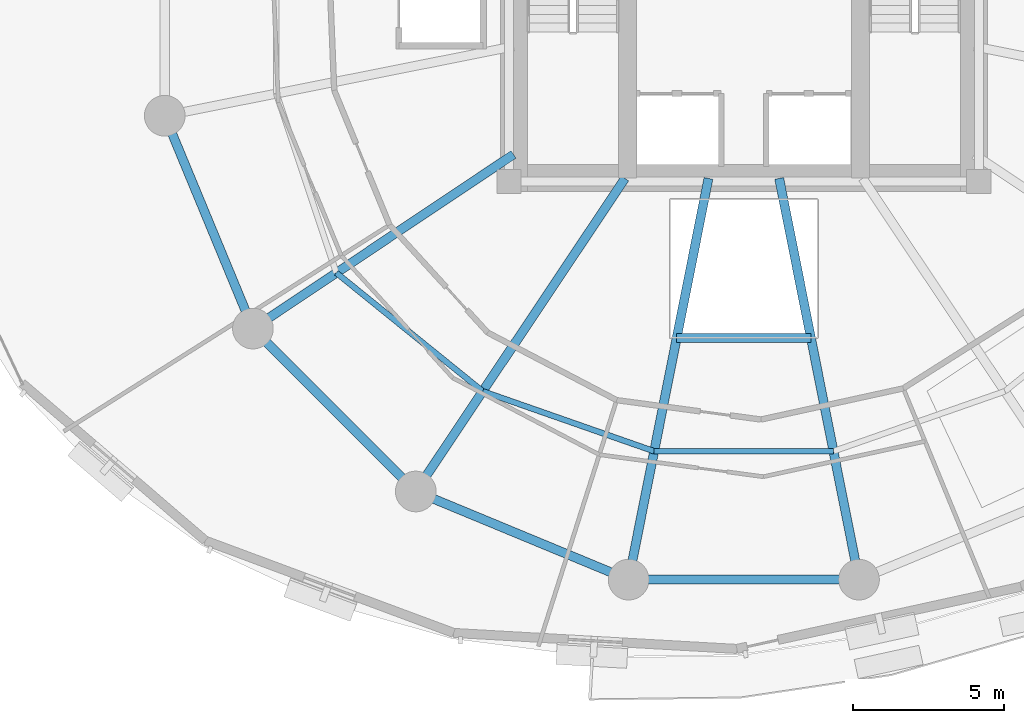
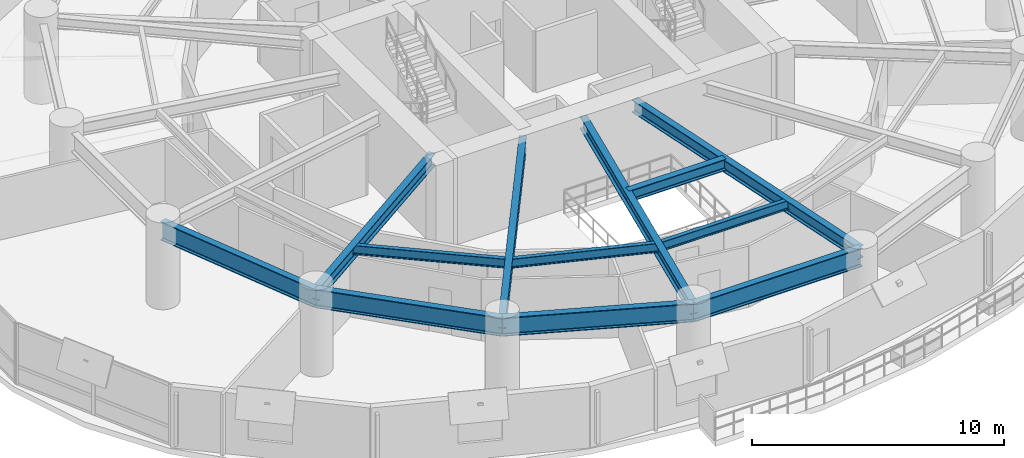
# One storey, part 3 of 17: 12 beams.
"""IFC4 building model written with IfcOpenShell, lengths in metres."""

from ifc_helpers import new_model, si_unit, direction, frame, origin, origin_2d, place, context, subcontext, project, spatial, i_section, extrude, material, material_profile, profile_set, type_object, element, save


model = new_model("IFC4")

# Units and contexts
model_context = context("Model", 3, precision=1e-05, world=origin(), true_north=direction((0.0, 1.0)))
body_context = subcontext(model_context, "Body", "Model", "MODEL_VIEW")
ifc_project = project(units=[si_unit("LENGTHUNIT", "METRE"), si_unit("AREAUNIT", "SQUARE_METRE"), si_unit("VOLUMEUNIT", "CUBIC_METRE"), si_unit("PLANEANGLEUNIT", "RADIAN"), si_unit("MASSUNIT", "GRAM", prefix="KILO"), si_unit("THERMODYNAMICTEMPERATUREUNIT", "KELVIN"), si_unit("POWERUNIT", "WATT")], contexts=[model_context])

# Site, building, storey
site_placement = place(None, origin())
site = spatial("IfcSite", under=ifc_project, at=site_placement, CompositionType="ELEMENT")
building_placement = place(site_placement, origin())
building = spatial("IfcBuilding", under=site, at=building_placement, Name="Ocrelia Relay Tower", CompositionType="ELEMENT")
storey_placement = place(building_placement, frame((0.0, 0.0, 84.60009765625)))
storey = spatial("IfcBuildingStorey", under=building, at=storey_placement, Name="L19", CompositionType="ELEMENT", Elevation=84.60009765625)

# Beams
ifc_material = material(Name="Steel S355", Category="steel")
ifc_material_profile_1 = material_profile(ifc_material, i_section(OverallWidth=0.300048828125, OverallDepth=0.550048828125, WebThickness=0.014892578125, FlangeThickness=0.029052734375, FilletRadius=0.027099609375, at=origin_2d()), Name="HEB 550")
ifc_profile_set_1 = profile_set([ifc_material_profile_1], Name="Steel S355")
beam_type_1 = type_object("IfcBeamType", Name="BM-HEB550", PredefinedType="BEAM", material=ifc_profile_set_1)
beam_1_placement = place(storey_placement, frame((31.772216796875, 14.800048828125, 3.60498046875), z_axis=(1.0, 0.0, 0.0), x_axis=(0.0, 1.0, 0.0)))
element("IfcBeam", 1, at=beam_1_placement, inside=storey, type_object=beam_type_1, Name="L19 Atrium South Trimmer Beam", PredefinedType="BEAM", context=body_context, shape_type="SweptSolid", body=[
    extrude(i_section(OverallWidth=0.300048828125, OverallDepth=0.550048828125, WebThickness=0.014892578125, FlangeThickness=0.029052734375, FilletRadius=0.027099609375, at=origin_2d()), origin(), (0.0, 0.0, 1.0), 4.45556640625),
])
ifc_material_profile_2 = material_profile(ifc_material, i_section(OverallWidth=0.300048828125, OverallDepth=0.60009765625, WebThickness=0.015380859375, FlangeThickness=0.030029296875, FilletRadius=0.027099609375, at=origin_2d()), Name="HEB 600")
ifc_profile_set_2 = profile_set([ifc_material_profile_2], Name="Steel S355")
beam_type_2 = type_object("IfcBeamType", Name="BM-HEB600", PredefinedType="BEAM", material=ifc_profile_set_2)
beam_2_placement = place(storey_placement, frame((17.703125, 15.11083984375, 3.579833984375), z_axis=(0.83146868639, 0.555571618743, 0.0), x_axis=(-0.555571618743, 0.83146868639, 0.0)))
element("IfcBeam", 2, at=beam_2_placement, inside=storey, type_object=beam_type_2, Name="L19 Radial Floor Girder R10", PredefinedType="BEAM", context=body_context, shape_type="SweptSolid", body=[
    extrude(i_section(OverallWidth=0.300048828125, OverallDepth=0.60009765625, WebThickness=0.015380859375, FlangeThickness=0.030029296875, FilletRadius=0.027099609375, at=origin_2d()), origin(), (0.0, 0.0, 1.0), 10.405517578125),
])
beam_3_placement = place(storey_placement, frame((23.11083984375, 9.703125, 3.579833984375), z_axis=(0.555569912646, 0.831469826369, 0.0), x_axis=(-0.831469826369, 0.555569912646, 0.0)))
element("IfcBeam", 3, at=beam_3_placement, inside=storey, type_object=beam_type_2, Name="L19 Radial Floor Girder R11", PredefinedType="BEAM", context=body_context, shape_type="SweptSolid", body=[
    extrude(i_section(OverallWidth=0.300048828125, OverallDepth=0.60009765625, WebThickness=0.015380859375, FlangeThickness=0.030029296875, FilletRadius=0.027099609375, at=origin_2d()), origin(), (0.0, 0.0, 1.0), 12.498046875),
])
for number, where, z_axis, x_axis, name in (
    (4, (30.17626953125, 6.776611328125, 3.579833984375), (0.195089155229, 0.980785512491, 0.0), (-0.980785512491, 0.195089155229, 0.0), "L19 Radial Floor Girder R12"),
    (5, (37.82373046875, 6.776611328125, 3.579833984375), (-0.195089155229, 0.980785512491, 0.0), (-0.980785512491, -0.195089155229, 0.0), "L19 Radial Floor Girder R13"),
):
    element("IfcBeam", number, at=place(storey_placement, frame(where, z_axis=z_axis, x_axis=x_axis)), inside=storey, type_object=beam_type_2, Name=name, PredefinedType="BEAM", context=body_context, shape_type="SweptSolid", body=[
        extrude(i_section(OverallWidth=0.300048828125, OverallDepth=0.60009765625, WebThickness=0.015380859375, FlangeThickness=0.030029296875, FilletRadius=0.027099609375, at=origin_2d()), origin(), (0.0, 0.0, 1.0), 13.579345703125),
    ])
ifc_material_profile_3 = material_profile(ifc_material, i_section(OverallWidth=0.300048828125, OverallDepth=0.89990234375, WebThickness=0.0185546875, FlangeThickness=0.034912109375, FilletRadius=0.030029296875, at=origin_2d()), Name="HEB 900")
ifc_profile_set_3 = profile_set([ifc_material_profile_3], Name="Steel S355")
beam_type_3 = type_object("IfcBeamType", Name="BM-HEB900", PredefinedType="BEAM", material=ifc_profile_set_3)
beam_4_placement = place(storey_placement, frame((14.776611328125, 22.17626953125, 3.429931640625), z_axis=(0.382674154222, -0.923883375589, 0.0), x_axis=(0.923883375589, 0.382674154222, 0.0)))
element("IfcBeam", 6, at=beam_4_placement, inside=storey, type_object=beam_type_3, Name="L19 Perimeter Spandrel Beam S09", PredefinedType="BEAM", context=body_context, shape_type="SweptSolid", body=[
    extrude(i_section(OverallWidth=0.300048828125, OverallDepth=0.89990234375, WebThickness=0.0185546875, FlangeThickness=0.034912109375, FilletRadius=0.030029296875, at=origin_2d()), origin(), (0.0, 0.0, 1.0), 7.6474609375),
])
beam_5_placement = place(storey_placement, frame((17.703125, 15.11083984375, 3.429931640625), z_axis=(0.707106781187, -0.707106781187, 0.0), x_axis=(0.707106781187, 0.707106781187, 0.0)))
element("IfcBeam", 7, at=beam_5_placement, inside=storey, type_object=beam_type_3, Name="L19 Perimeter Spandrel Beam S10", PredefinedType="BEAM", context=body_context, shape_type="SweptSolid", body=[
    extrude(i_section(OverallWidth=0.300048828125, OverallDepth=0.89990234375, WebThickness=0.0185546875, FlangeThickness=0.034912109375, FilletRadius=0.030029296875, at=origin_2d()), origin(), (0.0, 0.0, 1.0), 7.647705078125),
])
for number, where, z_axis, x_axis, name in (
    (8, (23.11083984375, 9.703125, 3.429931640625), (0.923883375589, -0.382674154222, 0.0), (0.382674154222, 0.923883375589, 0.0), "L19 Perimeter Spandrel Beam S11"),
    (9, (30.17626953125, 6.776611328125, 3.429931640625), (1.0, 0.0, 0.0), (0.0, 1.0, 0.0), "L19 Perimeter Spandrel Beam S12"),
):
    element("IfcBeam", number, at=place(storey_placement, frame(where, z_axis=z_axis, x_axis=x_axis)), inside=storey, type_object=beam_type_3, Name=name, PredefinedType="BEAM", context=body_context, shape_type="SweptSolid", body=[
        extrude(i_section(OverallWidth=0.300048828125, OverallDepth=0.89990234375, WebThickness=0.0185546875, FlangeThickness=0.034912109375, FilletRadius=0.030029296875, at=origin_2d()), origin(), (0.0, 0.0, 1.0), 7.6474609375),
    ])
ifc_material_profile_4 = material_profile(ifc_material, i_section(OverallWidth=0.18994140625, OverallDepth=0.449951171875, WebThickness=0.009521484375, FlangeThickness=0.0146484375, FilletRadius=0.02099609375, at=origin_2d()), Name="IPE 450")
ifc_profile_set_4 = profile_set([ifc_material_profile_4], Name="Steel S355")
beam_type_4 = type_object("IfcBeamType", Name="BM-IPE450", PredefinedType="JOIST", material=ifc_profile_set_4)
beam_6_placement = place(storey_placement, frame((20.4716796875, 16.960693359375, 3.65478515625), z_axis=(0.77748215158, -0.628905003935, 0.0), x_axis=(0.628905003935, 0.77748215158, 0.0)))
element("IfcBeam", 10, at=beam_6_placement, inside=storey, type_object=beam_type_4, Name="L19 Secondary Floor Joist J10", PredefinedType="JOIST", context=body_context, shape_type="SweptSolid", body=[
    extrude(i_section(OverallWidth=0.18994140625, OverallDepth=0.449951171875, WebThickness=0.009521484375, FlangeThickness=0.0146484375, FilletRadius=0.02099609375, at=origin_2d()), origin(), (0.0, 0.0, 1.0), 6.25244140625),
])
beam_7_placement = place(storey_placement, frame((25.332763671875, 13.028564453125, 3.65478515625), z_axis=(0.943957429675, -0.330067221882, 0.0), x_axis=(0.330067221882, 0.943957429675, 0.0)))
element("IfcBeam", 11, at=beam_7_placement, inside=storey, type_object=beam_type_4, Name="L19 Secondary Floor Joist J11", PredefinedType="JOIST", context=body_context, shape_type="SweptSolid", body=[
    extrude(i_section(OverallWidth=0.18994140625, OverallDepth=0.449951171875, WebThickness=0.009521484375, FlangeThickness=0.0146484375, FilletRadius=0.02099609375, at=origin_2d()), origin(), (0.0, 0.0, 1.0), 6.029052734375),
])
beam_8_placement = place(storey_placement, frame((31.02392578125, 11.03857421875, 3.65478515625), z_axis=(1.0, 0.0, 0.0), x_axis=(0.0, 1.0, 0.0)))
element("IfcBeam", 12, at=beam_8_placement, inside=storey, type_object=beam_type_4, Name="L19 Secondary Floor Joist J12", PredefinedType="JOIST", context=body_context, shape_type="SweptSolid", body=[
    extrude(i_section(OverallWidth=0.18994140625, OverallDepth=0.449951171875, WebThickness=0.009521484375, FlangeThickness=0.0146484375, FilletRadius=0.02099609375, at=origin_2d()), origin(), (0.0, 0.0, 1.0), 5.9521484375),
])

save(model, "model.ifc")
